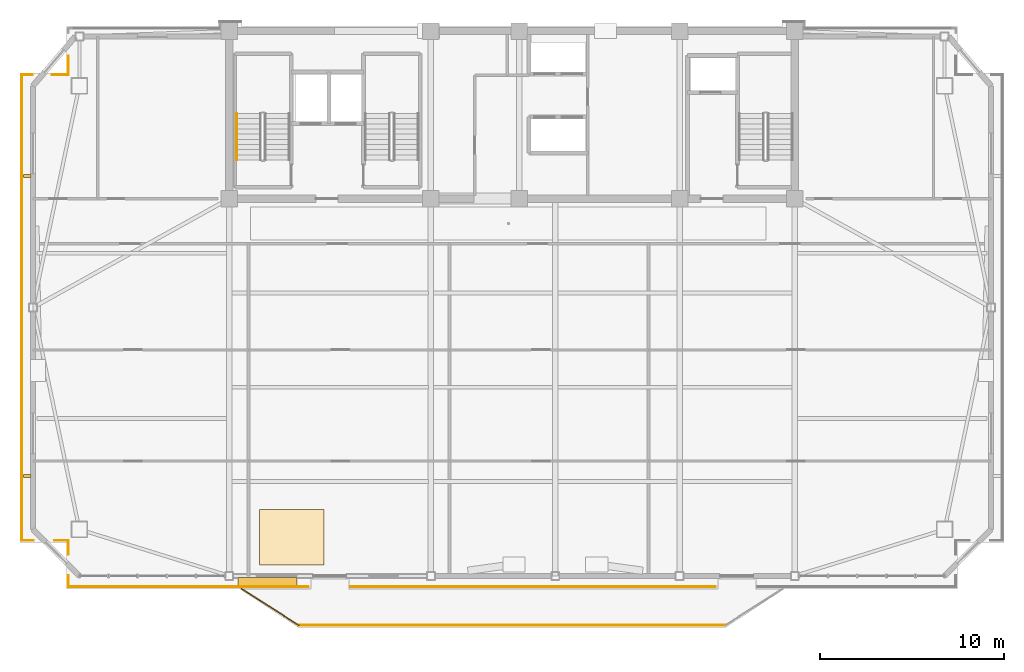
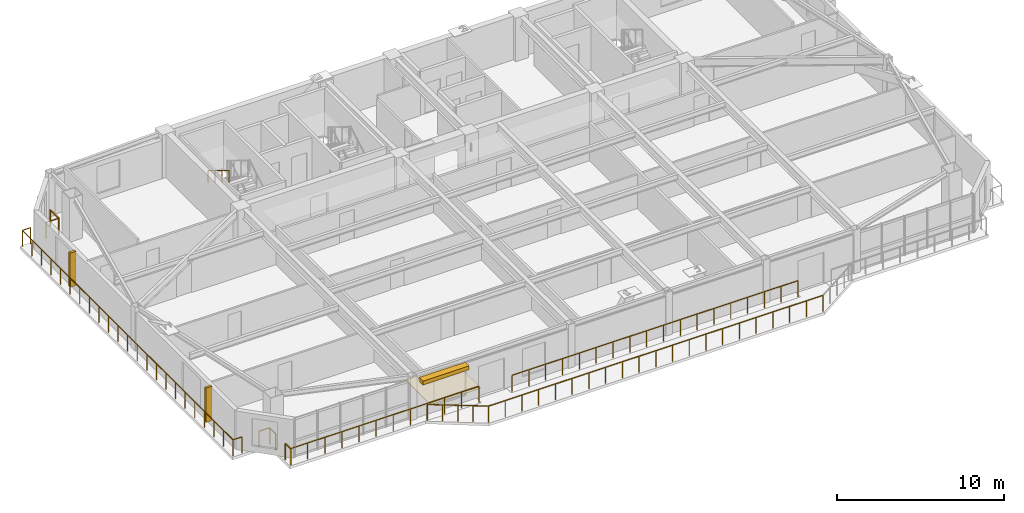
# One storey, part 12 of 16: 13 railings, 3 shading devices, 1 covering.
"""IFC4 building model written with IfcOpenShell, lengths in metres."""

import ifcopenshell
import ifcopenshell.guid

model = None  # the IFC model being written
_history = None  # IfcOwnerHistory: only IFC2X3 demands one
_inside = {}  # id of a spatial element -> (the spatial element, [elements in it])
_under = {}  # id of a project, library or spatial element -> (it, [spatial elements below it])
_declared = {}  # id of a project -> (the project, [libraries it declares])
_typed = {}  # id of a type object -> (the type object, [elements of that type])
_made_of = {}  # id of a material, layer set ... -> (it, [elements and type objects made of it])


def new_model(schema):
    """Start an empty IFC model of exactly this schema.

    Asked for "IFC4X3", IfcOpenShell would pick the latest addendum, in which some entities
    have other attributes; the version numbers below select the first issue.
    IFC2X3 requires an IfcOwnerHistory on every rooted entity: one is made here for all.
    """
    global model, _history
    if schema == "IFC4X3":
        model = ifcopenshell.file(schema_version=(4, 3, 0, 0))
    else:
        model = ifcopenshell.file(schema=schema)
    _inside.clear()
    _under.clear()
    _declared.clear()
    _typed.clear()
    _made_of.clear()
    _history = None
    if model.schema == "IFC2X3":
        org = make("IfcOrganization", Name="unknown")
        user = make(
            "IfcPersonAndOrganization",
            ThePerson=make("IfcPerson", FamilyName="unknown"),
            TheOrganization=org,
        )
        app = make(
            "IfcApplication",
            ApplicationDeveloper=org,
            Version="unknown",
            ApplicationFullName="unknown",
            ApplicationIdentifier="unknown",
        )
        _history = make(
            "IfcOwnerHistory",
            OwningUser=user,
            OwningApplication=app,
            ChangeAction="ADDED",
            CreationDate=0,
        )
    return model


def make(cls, **values):
    """One entity of the class cls with the attributes given. An attribute that is None is left unset."""
    return model.create_entity(
        cls, **{name: value for name, value in values.items() if value is not None}
    )


def rooted(cls, **values):
    """An entity with a GlobalId (a new one), such as an element, a storey or a relation."""
    return make(cls, GlobalId=ifcopenshell.guid.new(), OwnerHistory=_history, **values)


def si_unit(unit_type, name, prefix=None):
    """IfcSIUnit, for example si_unit("LENGTHUNIT", "METRE", prefix="MILLI")."""
    return make("IfcSIUnit", UnitType=unit_type, Prefix=prefix, Name=name)


def assignment(units):
    """IfcUnitAssignment: the units of a project."""
    return None if units is None else make("IfcUnitAssignment", Units=units)


def point(xyz):
    """IfcCartesianPoint."""
    return None if xyz is None else make("IfcCartesianPoint", Coordinates=xyz)


def direction(xyz):
    """IfcDirection."""
    return None if xyz is None else make("IfcDirection", DirectionRatios=xyz)


def frame(location, z_axis=None, x_axis=None):
    """IfcAxis2Placement3D, a coordinate frame: its origin and axes. An axis left out is left unset."""
    return make(
        "IfcAxis2Placement3D",
        Location=point(location),
        Axis=direction(z_axis),
        RefDirection=direction(x_axis),
    )


def frame_2d(location, x_axis=None):
    """IfcAxis2Placement2D, a coordinate frame in the plane: its origin and x axis."""
    return make(
        "IfcAxis2Placement2D", Location=point(location), RefDirection=direction(x_axis)
    )


def origin():
    """The frame at (0, 0, 0) with its axes left unset."""
    return frame((0.0, 0.0, 0.0))


def origin_2d():
    """The frame at (0, 0) in the plane with its x axis left unset."""
    return frame_2d((0.0, 0.0))


def place(relative_to, where):
    """IfcLocalPlacement: puts the frame where relative to a parent placement (None: the world)."""
    return make(
        "IfcLocalPlacement", PlacementRelTo=relative_to, RelativePlacement=where
    )


def context(
    kind, dimensions, precision=None, world=None, true_north=None, identifier=None
):
    """IfcGeometricRepresentationContext, for example the 3D "Model" context."""
    return make(
        "IfcGeometricRepresentationContext",
        ContextIdentifier=identifier,
        ContextType=kind,
        CoordinateSpaceDimension=dimensions,
        Precision=precision,
        WorldCoordinateSystem=world,
        TrueNorth=true_north,
    )


def subcontext(parent, identifier, kind, view, scale=None):
    """IfcGeometricRepresentationSubContext, for example "Body" below "Model"."""
    return make(
        "IfcGeometricRepresentationSubContext",
        ContextIdentifier=identifier,
        ContextType=kind,
        ParentContext=parent,
        TargetScale=scale,
        TargetView=view,
    )


def project(units=None, contexts=None):
    """IfcProject with its units and contexts."""
    return rooted(
        "IfcProject",
        Name="project",
        RepresentationContexts=contexts,
        UnitsInContext=assignment(units),
    )


def spatial(cls, under=None, at=None, **own):
    """A site, building, storey or space (cls), placed at a placement, below another one or the project."""
    s = rooted(cls, ObjectPlacement=at, **own)
    if under is not None:
        _under.setdefault(under.id(), (under, []))[1].append(s)
    return s


def polyline(points):
    """IfcPolyline through the points."""
    return make("IfcPolyline", Points=[point(p) for p in points])


def profile(cls, at=None, kind="AREA", **sizes):
    """A parametric profile (cls). Its sizes go by their IFC names, for example OverallWidth=200.0."""
    return make(cls, ProfileType=kind, Position=at, **sizes)


def rectangle(**sizes):
    """IfcRectangleProfileDef."""
    return profile("IfcRectangleProfileDef", **sizes)


def outline(outer, holes=None, kind="AREA"):
    """IfcArbitraryClosedProfileDef: a profile drawn as a closed curve; with holes, ...WithVoids."""
    if holes is None:
        return make("IfcArbitraryClosedProfileDef", ProfileType=kind, OuterCurve=outer)
    return make(
        "IfcArbitraryProfileDefWithVoids",
        ProfileType=kind,
        OuterCurve=outer,
        InnerCurves=holes,
    )


def extrude(swept, where, along, depth):
    """IfcExtrudedAreaSolid: the profile swept, set in the frame where, extruded along a direction by depth."""
    return make(
        "IfcExtrudedAreaSolid",
        SweptArea=swept,
        Position=where,
        ExtrudedDirection=direction(along),
        Depth=depth,
    )


def shape(context_of_items, identifier, shape_type, items):
    """IfcShapeRepresentation: the items that make up one representation, for example the "Body"."""
    return make(
        "IfcShapeRepresentation",
        ContextOfItems=context_of_items,
        RepresentationIdentifier=identifier,
        RepresentationType=shape_type,
        Items=items,
    )


def source(mapping_origin, context_of_items, identifier, shape_type, items):
    """IfcRepresentationMap: a shape defined once, which mapped items show again and again."""
    return make(
        "IfcRepresentationMap",
        MappingOrigin=mapping_origin,
        MappedRepresentation=shape(context_of_items, identifier, shape_type, items),
    )


def transform(
    local_origin,
    x_axis=None,
    y_axis=None,
    z_axis=None,
    scale=None,
    scale2=None,
    scale3=None,
    uniform=True,
):
    """IfcCartesianTransformationOperator3D, or its non-uniform kind. x_axis, y_axis, z_axis: its Axis1, 2, 3."""
    if uniform:
        return make(
            "IfcCartesianTransformationOperator3D",
            Axis1=direction(x_axis),
            Axis2=direction(y_axis),
            LocalOrigin=point(local_origin),
            Scale=scale,
            Axis3=direction(z_axis),
        )
    return make(
        "IfcCartesianTransformationOperator3DnonUniform",
        Axis1=direction(x_axis),
        Axis2=direction(y_axis),
        LocalOrigin=point(local_origin),
        Scale=scale,
        Axis3=direction(z_axis),
        Scale2=scale2,
        Scale3=scale3,
    )


def mapped(mapping_source, mapping_target):
    """IfcMappedItem: shows the shape of a source again, moved by a transform."""
    return make(
        "IfcMappedItem", MappingSource=mapping_source, MappingTarget=mapping_target
    )


def material(Name=None, Category=None):
    """IfcMaterial."""
    return make("IfcMaterial", Name=Name, Category=Category)


def layer(
    of_material, thickness, ventilated=None, Name=None, Category=None, Priority=None
):
    """IfcMaterialLayer: one layer of a wall or slab, of a material (None: an air gap)."""
    return make(
        "IfcMaterialLayer",
        Material=of_material,
        LayerThickness=thickness,
        IsVentilated=ventilated,
        Name=Name,
        Category=Category,
        Priority=Priority,
    )


def layer_set(layers, Name=None):
    """IfcMaterialLayerSet."""
    return make("IfcMaterialLayerSet", MaterialLayers=layers, LayerSetName=Name)


def made_of(thing, what):
    """Note that an element or type object is made of a material, layer set ...; save() writes the relation."""
    if what is not None:
        _made_of.setdefault(what.id(), (what, []))[1].append(thing)
    return thing


def type_object(cls, material=None, **own):
    """A type object (cls), such as IfcWallType, which elements share."""
    return made_of(rooted(cls, **own), material)


def element(
    cls,
    number,
    at=None,
    inside=None,
    cuts=None,
    type_object=None,
    material=None,
    context=None,
    identifier="Body",
    shape_type=None,
    held_by="IfcProductDefinitionShape",
    body=None,
    shapes=None,
    **own,
):
    """One element of the class cls, such as IfcWall. Its Tag is "e" and its number.

    at: its placement. inside: the storey or other place that contains it. cuts: it is an
    opening in that element (IfcRelVoidsElement). A single representation is given by context,
    identifier, shape_type and body (its items); several are given by shapes. held_by: the class
    of the entity that holds the representations. save() writes the other relations.
    """
    e = rooted(cls, Tag="e%d" % number, ObjectPlacement=at, **own)
    if body is not None:
        shapes = [shape(context, identifier, shape_type, body)]
    if shapes is not None:
        e.Representation = make(held_by, Representations=shapes)
    if inside is not None:
        _inside.setdefault(inside.id(), (inside, []))[1].append(e)
    if cuts is not None:
        rooted(
            "IfcRelVoidsElement", RelatingBuildingElement=cuts, RelatedOpeningElement=e
        )
    if type_object is not None:
        _typed.setdefault(type_object.id(), (type_object, []))[1].append(e)
    return made_of(e, material)


def aggregate(whole, parts):
    """IfcRelAggregates: a whole, such as a stair, and the parts it consists of."""
    return rooted("IfcRelAggregates", RelatingObject=whole, RelatedObjects=parts)


def save(model, path):
    """Write the relations noted so far, then the file.

    IfcRelAggregates (storeys below a building ...), IfcRelContainedInSpatialStructure (elements
    in a storey), IfcRelDefinesByType, IfcRelAssociatesMaterial and IfcRelDeclares: one each for
    every whole, place, type object, material and project.
    """
    for whole, parts in _under.values():
        aggregate(whole, parts)
    for where, things in _inside.values():
        rooted(
            "IfcRelContainedInSpatialStructure",
            RelatedElements=things,
            RelatingStructure=where,
        )
    for kind, things in _typed.values():
        rooted("IfcRelDefinesByType", RelatedObjects=things, RelatingType=kind)
    for what, things in _made_of.values():
        rooted("IfcRelAssociatesMaterial", RelatedObjects=things, RelatingMaterial=what)
    for by, libraries in _declared.values():
        rooted("IfcRelDeclares", RelatingContext=by, RelatedDefinitions=libraries)
    model.write(path)


model = new_model("IFC4")

# Units and contexts
model_context = context("Model", 3, precision=1e-05, world=origin(), true_north=direction((0.0, 1.0)))
body_context = subcontext(model_context, "Body", "Model", "MODEL_VIEW")
ifc_project = project(units=[si_unit("LENGTHUNIT", "METRE"), si_unit("AREAUNIT", "SQUARE_METRE"), si_unit("VOLUMEUNIT", "CUBIC_METRE"), si_unit("PLANEANGLEUNIT", "RADIAN"), si_unit("MASSUNIT", "GRAM", prefix="KILO")], contexts=[model_context])

# Site, building, storey
site_placement = place(None, origin())
site = spatial("IfcSite", under=ifc_project, at=site_placement, CompositionType="ELEMENT")
building_placement = place(site_placement, origin())
building = spatial("IfcBuilding", under=site, at=building_placement, Name="Giltprow Tower", CompositionType="ELEMENT")
storey_placement = place(building_placement, frame((0.0, 0.0, 272.300048828125)))
storey = spatial("IfcBuildingStorey", under=building, at=storey_placement, Name="L70", CompositionType="ELEMENT", Elevation=272.300048828125)

# Covering
ifc_material_1 = material(Name="Engineered oak", Category="wood")
ifc_layer = layer(ifc_material_1, 0.02490234375, Name="Engineered oak")
ifc_layer_set = layer_set([ifc_layer], Name="Engineered oak")
covering_type = type_object("IfcCoveringType", Name="COV-FLR-TIMBER", PredefinedType="FLOORING", material=ifc_layer_set)
covering_placement = place(storey_placement, origin())
element("IfcCovering", 1, at=covering_placement, inside=storey, type_object=covering_type, Name="L70 Residence Oak Parquet Flooring", PredefinedType="FLOORING", context=body_context, shape_type="SweptSolid", body=[
    extrude(outline(polyline([(21.5, 17.575927734375), (25.0, 17.575927734375), (25.0, 20.575927734375), (21.5, 20.575927734375), (21.5, 17.575927734375)])), origin(), (0.0, 0.0, 1.0), 0.02490234375),
])

# Railings
ifc_material_2 = material(Name="Anodized bronze", Category="metal")
railing_type_1 = type_object("IfcRailingType", Name="RAIL-BALC-GUARD-1200", PredefinedType="BALUSTRADE", material=ifc_material_2)
railing_1_placement = place(storey_placement, frame((20.52001953125, 16.27587890625, 0.0)))
element("IfcRailing", 2, at=railing_1_placement, inside=storey, type_object=railing_type_1, Name="L70 Waterfront Balcony Balustrade Seg 1", PredefinedType="BALUSTRADE", context=body_context, shape_type="SweptSolid", body=[
    extrude(rectangle(XDim=0.048095703125, YDim=0.048095703125, at=origin_2d()), frame((0.0, 0.0, 1.17578125), z_axis=(0.84277487735, -0.538266203757, 0.0), x_axis=(0.538266203757, 0.84277487735, 0.0)), (0.0, 0.0, 1.0), 3.678466796875),
    extrude(rectangle(XDim=0.0419921875, YDim=0.0419921875, at=origin_2d()), origin(), (0.0, 0.0, 1.0), 1.15185546875),
    extrude(rectangle(XDim=0.0419921875, YDim=0.0419921875, at=origin_2d()), frame((0.77490234375, -0.4951171875, 0.0)), (0.0, 0.0, 1.0), 1.15185546875),
    extrude(rectangle(XDim=0.0419921875, YDim=0.0419921875, at=origin_2d()), frame((1.550048828125, -0.989990234375, 0.0)), (0.0, 0.0, 1.0), 1.15185546875),
    extrude(rectangle(XDim=0.0419921875, YDim=0.0419921875, at=origin_2d()), frame((2.3251953125, -1.48486328125, 0.0)), (0.0, 0.0, 1.0), 1.15185546875),
    extrude(rectangle(XDim=0.0419921875, YDim=0.0419921875, at=origin_2d()), frame((3.10009765625, -1.97998046875, 0.0)), (0.0, 0.0, 1.0), 1.15185546875),
])
railing_2_placement = place(storey_placement, frame((23.6201171875, 14.2958984375, 0.0)))
element("IfcRailing", 3, at=railing_2_placement, inside=storey, type_object=railing_type_1, Name="L70 Waterfront Balcony Balustrade Seg 2", PredefinedType="BALUSTRADE", context=body_context, shape_type="SweptSolid", body=[
    extrude(rectangle(XDim=0.048095703125, YDim=0.048095703125, at=origin_2d()), frame((0.0, 0.0, 1.17578125), z_axis=(1.0, 0.0, 0.0), x_axis=(0.0, 1.0, 0.0)), (0.0, 0.0, 1.0), 23.159912109375),
    extrude(rectangle(XDim=0.0419921875, YDim=0.0419921875, at=origin_2d()), origin(), (0.0, 0.0, 1.0), 1.15185546875),
    extrude(rectangle(XDim=0.0419921875, YDim=0.0419921875, at=origin_2d()), frame((1.157958984375, 0.0, 0.0)), (0.0, 0.0, 1.0), 1.15185546875),
    extrude(rectangle(XDim=0.0419921875, YDim=0.0419921875, at=origin_2d()), frame((2.31591796875, 0.0, 0.0)), (0.0, 0.0, 1.0), 1.15185546875),
    extrude(rectangle(XDim=0.0419921875, YDim=0.0419921875, at=origin_2d()), frame((3.473876953125, 0.0, 0.0)), (0.0, 0.0, 1.0), 1.15185546875),
    extrude(rectangle(XDim=0.0419921875, YDim=0.0419921875, at=origin_2d()), frame((4.632080078125, 0.0, 0.0)), (0.0, 0.0, 1.0), 1.15185546875),
    extrude(rectangle(XDim=0.0419921875, YDim=0.0419921875, at=origin_2d()), frame((5.7900390625, 0.0, 0.0)), (0.0, 0.0, 1.0), 1.15185546875),
    extrude(rectangle(XDim=0.0419921875, YDim=0.0419921875, at=origin_2d()), frame((6.947998046875, 0.0, 0.0)), (0.0, 0.0, 1.0), 1.15185546875),
    extrude(rectangle(XDim=0.0419921875, YDim=0.0419921875, at=origin_2d()), frame((8.10595703125, 0.0, 0.0)), (0.0, 0.0, 1.0), 1.15185546875),
    extrude(rectangle(XDim=0.0419921875, YDim=0.0419921875, at=origin_2d()), frame((9.263916015625, 0.0, 0.0)), (0.0, 0.0, 1.0), 1.15185546875),
    extrude(rectangle(XDim=0.0419921875, YDim=0.0419921875, at=origin_2d()), frame((10.421875, 0.0, 0.0)), (0.0, 0.0, 1.0), 1.15185546875),
    extrude(rectangle(XDim=0.0419921875, YDim=0.0419921875, at=origin_2d()), frame((11.580078125, 0.0, 0.0)), (0.0, 0.0, 1.0), 1.15185546875),
    extrude(rectangle(XDim=0.0419921875, YDim=0.0419921875, at=origin_2d()), frame((12.738037109375, 0.0, 0.0)), (0.0, 0.0, 1.0), 1.15185546875),
    extrude(rectangle(XDim=0.0419921875, YDim=0.0419921875, at=origin_2d()), frame((13.89599609375, 0.0, 0.0)), (0.0, 0.0, 1.0), 1.15185546875),
    extrude(rectangle(XDim=0.0419921875, YDim=0.0419921875, at=origin_2d()), frame((15.053955078125, 0.0, 0.0)), (0.0, 0.0, 1.0), 1.15185546875),
    extrude(rectangle(XDim=0.0419921875, YDim=0.0419921875, at=origin_2d()), frame((16.2119140625, 0.0, 0.0)), (0.0, 0.0, 1.0), 1.15185546875),
    extrude(rectangle(XDim=0.0419921875, YDim=0.0419921875, at=origin_2d()), frame((17.369873046875, 0.0, 0.0)), (0.0, 0.0, 1.0), 1.15185546875),
    extrude(rectangle(XDim=0.0419921875, YDim=0.0419921875, at=origin_2d()), frame((18.52783203125, 0.0, 0.0)), (0.0, 0.0, 1.0), 1.15185546875),
    extrude(rectangle(XDim=0.0419921875, YDim=0.0419921875, at=origin_2d()), frame((19.68603515625, 0.0, 0.0)), (0.0, 0.0, 1.0), 1.15185546875),
    extrude(rectangle(XDim=0.0419921875, YDim=0.0419921875, at=origin_2d()), frame((20.843994140625, 0.0, 0.0)), (0.0, 0.0, 1.0), 1.15185546875),
    extrude(rectangle(XDim=0.0419921875, YDim=0.0419921875, at=origin_2d()), frame((22.001953125, 0.0, 0.0)), (0.0, 0.0, 1.0), 1.15185546875),
    extrude(rectangle(XDim=0.0419921875, YDim=0.0419921875, at=origin_2d()), frame((23.159912109375, 0.0, 0.0)), (0.0, 0.0, 1.0), 1.15185546875),
])
railing_3_placement = place(storey_placement, frame((46.25, 16.3759765625, 0.0)))
element("IfcRailing", 4, at=railing_3_placement, inside=storey, type_object=railing_type_1, Name="L70 Corner Apron Edge Balustrade 7", PredefinedType="BALUSTRADE", context=body_context, shape_type="SweptSolid", body=[
    extrude(rectangle(XDim=0.048095703125, YDim=0.048095703125, at=origin_2d()), frame((0.0, 0.0, 1.17578125), z_axis=(-1.0, 0.0, 0.0), x_axis=(0.0, -1.0, 0.0)), (0.0, 0.0, 1.0), 19.800048828125),
    extrude(rectangle(XDim=0.0419921875, YDim=0.0419921875, at=origin_2d()), origin(), (0.0, 0.0, 1.0), 1.15185546875),
    extrude(rectangle(XDim=0.0419921875, YDim=0.0419921875, at=origin_2d()), frame((-1.164794921875, 0.0, 0.0)), (0.0, 0.0, 1.0), 1.15185546875),
    extrude(rectangle(XDim=0.0419921875, YDim=0.0419921875, at=origin_2d()), frame((-2.329345703125, 0.0, 0.0)), (0.0, 0.0, 1.0), 1.15185546875),
    extrude(rectangle(XDim=0.0419921875, YDim=0.0419921875, at=origin_2d()), frame((-3.494140625, 0.0, 0.0)), (0.0, 0.0, 1.0), 1.15185546875),
    extrude(rectangle(XDim=0.0419921875, YDim=0.0419921875, at=origin_2d()), frame((-4.658935546875, 0.0, 0.0)), (0.0, 0.0, 1.0), 1.15185546875),
    extrude(rectangle(XDim=0.0419921875, YDim=0.0419921875, at=origin_2d()), frame((-5.823486328125, 0.0, 0.0)), (0.0, 0.0, 1.0), 1.15185546875),
    extrude(rectangle(XDim=0.0419921875, YDim=0.0419921875, at=origin_2d()), frame((-6.98828125, 0.0, 0.0)), (0.0, 0.0, 1.0), 1.15185546875),
    extrude(rectangle(XDim=0.0419921875, YDim=0.0419921875, at=origin_2d()), frame((-8.153076171875, 0.0, 0.0)), (0.0, 0.0, 1.0), 1.15185546875),
    extrude(rectangle(XDim=0.0419921875, YDim=0.0419921875, at=origin_2d()), frame((-9.317626953125, 0.0, 0.0)), (0.0, 0.0, 1.0), 1.15185546875),
    extrude(rectangle(XDim=0.0419921875, YDim=0.0419921875, at=origin_2d()), frame((-10.482421875, 0.0, 0.0)), (0.0, 0.0, 1.0), 1.15185546875),
    extrude(rectangle(XDim=0.0419921875, YDim=0.0419921875, at=origin_2d()), frame((-11.64697265625, 0.0, 0.0)), (0.0, 0.0, 1.0), 1.15185546875),
    extrude(rectangle(XDim=0.0419921875, YDim=0.0419921875, at=origin_2d()), frame((-12.811767578125, 0.0, 0.0)), (0.0, 0.0, 1.0), 1.15185546875),
    extrude(rectangle(XDim=0.0419921875, YDim=0.0419921875, at=origin_2d()), frame((-13.9765625, 0.0, 0.0)), (0.0, 0.0, 1.0), 1.15185546875),
    extrude(rectangle(XDim=0.0419921875, YDim=0.0419921875, at=origin_2d()), frame((-15.14111328125, 0.0, 0.0)), (0.0, 0.0, 1.0), 1.15185546875),
    extrude(rectangle(XDim=0.0419921875, YDim=0.0419921875, at=origin_2d()), frame((-16.305908203125, 0.0, 0.0)), (0.0, 0.0, 1.0), 1.15185546875),
    extrude(rectangle(XDim=0.0419921875, YDim=0.0419921875, at=origin_2d()), frame((-17.470703125, 0.0, 0.0)), (0.0, 0.0, 1.0), 1.15185546875),
    extrude(rectangle(XDim=0.0419921875, YDim=0.0419921875, at=origin_2d()), frame((-18.63525390625, 0.0, 0.0)), (0.0, 0.0, 1.0), 1.15185546875),
    extrude(rectangle(XDim=0.0419921875, YDim=0.0419921875, at=origin_2d()), frame((-19.800048828125, 0.0, 0.0)), (0.0, 0.0, 1.0), 1.15185546875),
])
railing_4_placement = place(storey_placement, frame((24.14990234375, 16.3759765625, 0.0)))
element("IfcRailing", 5, at=railing_4_placement, inside=storey, type_object=railing_type_1, Name="L70 Corner Apron Edge Balustrade 8", PredefinedType="BALUSTRADE", context=body_context, shape_type="SweptSolid", body=[
    extrude(rectangle(XDim=0.048095703125, YDim=0.048095703125, at=origin_2d()), frame((0.0, 0.0, 1.17578125), z_axis=(-1.0, 0.0, 0.0), x_axis=(0.0, -1.0, 0.0)), (0.0, 0.0, 1.0), 13.032958984375),
    extrude(rectangle(XDim=0.0419921875, YDim=0.0419921875, at=origin_2d()), origin(), (0.0, 0.0, 1.0), 1.15185546875),
    extrude(rectangle(XDim=0.0419921875, YDim=0.0419921875, at=origin_2d()), frame((-1.184814453125, 0.0, 0.0)), (0.0, 0.0, 1.0), 1.15185546875),
    extrude(rectangle(XDim=0.0419921875, YDim=0.0419921875, at=origin_2d()), frame((-2.36962890625, 0.0, 0.0)), (0.0, 0.0, 1.0), 1.15185546875),
    extrude(rectangle(XDim=0.0419921875, YDim=0.0419921875, at=origin_2d()), frame((-3.554443359375, 0.0, 0.0)), (0.0, 0.0, 1.0), 1.15185546875),
    extrude(rectangle(XDim=0.0419921875, YDim=0.0419921875, at=origin_2d()), frame((-4.7392578125, 0.0, 0.0)), (0.0, 0.0, 1.0), 1.15185546875),
    extrude(rectangle(XDim=0.0419921875, YDim=0.0419921875, at=origin_2d()), frame((-5.924072265625, 0.0, 0.0)), (0.0, 0.0, 1.0), 1.15185546875),
    extrude(rectangle(XDim=0.0419921875, YDim=0.0419921875, at=origin_2d()), frame((-7.10888671875, 0.0, 0.0)), (0.0, 0.0, 1.0), 1.15185546875),
    extrude(rectangle(XDim=0.0419921875, YDim=0.0419921875, at=origin_2d()), frame((-8.293701171875, 0.0, 0.0)), (0.0, 0.0, 1.0), 1.15185546875),
    extrude(rectangle(XDim=0.0419921875, YDim=0.0419921875, at=origin_2d()), frame((-9.478515625, 0.0, 0.0)), (0.0, 0.0, 1.0), 1.15185546875),
    extrude(rectangle(XDim=0.0419921875, YDim=0.0419921875, at=origin_2d()), frame((-10.663330078125, 0.0, 0.0)), (0.0, 0.0, 1.0), 1.15185546875),
    extrude(rectangle(XDim=0.0419921875, YDim=0.0419921875, at=origin_2d()), frame((-11.84814453125, 0.0, 0.0)), (0.0, 0.0, 1.0), 1.15185546875),
    extrude(rectangle(XDim=0.0419921875, YDim=0.0419921875, at=origin_2d()), frame((-13.032958984375, 0.0, 0.0)), (0.0, 0.0, 1.0), 1.15185546875),
])
railing_5_placement = place(storey_placement, frame((11.116943359375, 16.3759765625, 0.0)))
element("IfcRailing", 6, at=railing_5_placement, inside=storey, type_object=railing_type_1, Name="L70 Corner Apron Edge Balustrade 9", PredefinedType="BALUSTRADE", context=body_context, shape_type="SweptSolid", body=[
    extrude(rectangle(XDim=0.048095703125, YDim=0.048095703125, at=origin_2d()), frame((0.0, 0.0, 1.17578125), z_axis=(0.0, 1.0, 0.0), x_axis=(-1.0, 0.0, 0.0)), (0.0, 0.0, 1.0), 0.6201171875),
    extrude(rectangle(XDim=0.0419921875, YDim=0.0419921875, at=origin_2d()), origin(), (0.0, 0.0, 1.0), 1.15185546875),
    extrude(rectangle(XDim=0.0419921875, YDim=0.0419921875, at=origin_2d()), frame((0.0, 0.6201171875, 0.0)), (0.0, 0.0, 1.0), 1.15185546875),
])
railing_6_placement = place(storey_placement, frame((11.116943359375, 18.156005859375, 0.0)))
element("IfcRailing", 7, at=railing_6_placement, inside=storey, type_object=railing_type_1, Name="L70 Corner Apron Edge Balustrade 10", PredefinedType="BALUSTRADE", context=body_context, shape_type="SweptSolid", body=[
    extrude(rectangle(XDim=0.048095703125, YDim=0.048095703125, at=origin_2d()), frame((0.0, 0.0, 1.17578125), z_axis=(0.0, 1.0, 0.0), x_axis=(-1.0, 0.0, 0.0)), (0.0, 0.0, 1.0), 0.742919921875),
    extrude(rectangle(XDim=0.0419921875, YDim=0.0419921875, at=origin_2d()), origin(), (0.0, 0.0, 1.0), 1.15185546875),
    extrude(rectangle(XDim=0.0419921875, YDim=0.0419921875, at=origin_2d()), frame((0.0, 0.742919921875, 0.0)), (0.0, 0.0, 1.0), 1.15185546875),
])
railing_7_placement = place(storey_placement, frame((11.116943359375, 18.89892578125, 0.0)))
element("IfcRailing", 8, at=railing_7_placement, inside=storey, type_object=railing_type_1, Name="L70 Corner Apron Edge Balustrade 11", PredefinedType="BALUSTRADE", context=body_context, shape_type="SweptSolid", body=[
    extrude(rectangle(XDim=0.048095703125, YDim=0.048095703125, at=origin_2d()), frame((0.0, 0.0, 1.17578125), z_axis=(-1.0, 0.0, 0.0), x_axis=(0.0, -1.0, 0.0)), (0.0, 0.0, 1.0), 0.742919921875),
    extrude(rectangle(XDim=0.0419921875, YDim=0.0419921875, at=origin_2d()), origin(), (0.0, 0.0, 1.0), 1.15185546875),
    extrude(rectangle(XDim=0.0419921875, YDim=0.0419921875, at=origin_2d()), frame((-0.742919921875, 0.0, 0.0)), (0.0, 0.0, 1.0), 1.15185546875),
])
railing_8_placement = place(storey_placement, frame((9.214111328125, 18.89892578125, 0.0)))
element("IfcRailing", 9, at=railing_8_placement, inside=storey, type_object=railing_type_1, Name="L70 Corner Apron Edge Balustrade 12", PredefinedType="BALUSTRADE", context=body_context, shape_type="SweptSolid", body=[
    extrude(rectangle(XDim=0.048095703125, YDim=0.048095703125, at=origin_2d()), frame((0.0, 0.0, 1.17578125), z_axis=(-1.0, 0.0, 0.0), x_axis=(0.0, -1.0, 0.0)), (0.0, 0.0, 1.0), 0.6201171875),
    extrude(rectangle(XDim=0.0419921875, YDim=0.0419921875, at=origin_2d()), origin(), (0.0, 0.0, 1.0), 1.15185546875),
    extrude(rectangle(XDim=0.0419921875, YDim=0.0419921875, at=origin_2d()), frame((-0.6201171875, 0.0, 0.0)), (0.0, 0.0, 1.0), 1.15185546875),
])
railing_9_placement = place(storey_placement, frame((8.593994140625, 18.89892578125, 0.0)))
element("IfcRailing", 10, at=railing_9_placement, inside=storey, type_object=railing_type_1, Name="L70 Corner Apron Edge Balustrade 13", PredefinedType="BALUSTRADE", context=body_context, shape_type="SweptSolid", body=[
    extrude(rectangle(XDim=0.048095703125, YDim=0.048095703125, at=origin_2d()), frame((0.0, 0.0, 1.17578125), z_axis=(0.0, 1.0, 0.0), x_axis=(-1.0, 0.0, 0.0)), (0.0, 0.0, 1.0), 25.277099609375),
    extrude(rectangle(XDim=0.0419921875, YDim=0.0419921875, at=origin_2d()), origin(), (0.0, 0.0, 1.0), 1.15185546875),
    extrude(rectangle(XDim=0.0419921875, YDim=0.0419921875, at=origin_2d()), frame((0.0, 1.14892578125, 0.0)), (0.0, 0.0, 1.0), 1.15185546875),
    extrude(rectangle(XDim=0.0419921875, YDim=0.0419921875, at=origin_2d()), frame((0.0, 2.2978515625, 0.0)), (0.0, 0.0, 1.0), 1.15185546875),
    extrude(rectangle(XDim=0.0419921875, YDim=0.0419921875, at=origin_2d()), frame((0.0, 3.44677734375, 0.0)), (0.0, 0.0, 1.0), 1.15185546875),
    extrude(rectangle(XDim=0.0419921875, YDim=0.0419921875, at=origin_2d()), frame((0.0, 4.595947265625, 0.0)), (0.0, 0.0, 1.0), 1.15185546875),
    extrude(rectangle(XDim=0.0419921875, YDim=0.0419921875, at=origin_2d()), frame((0.0, 5.744873046875, 0.0)), (0.0, 0.0, 1.0), 1.15185546875),
    extrude(rectangle(XDim=0.0419921875, YDim=0.0419921875, at=origin_2d()), frame((0.0, 6.893798828125, 0.0)), (0.0, 0.0, 1.0), 1.15185546875),
    extrude(rectangle(XDim=0.0419921875, YDim=0.0419921875, at=origin_2d()), frame((0.0, 8.042724609375, 0.0)), (0.0, 0.0, 1.0), 1.15185546875),
    extrude(rectangle(XDim=0.0419921875, YDim=0.0419921875, at=origin_2d()), frame((0.0, 9.191650390625, 0.0)), (0.0, 0.0, 1.0), 1.15185546875),
    extrude(rectangle(XDim=0.0419921875, YDim=0.0419921875, at=origin_2d()), frame((0.0, 10.340576171875, 0.0)), (0.0, 0.0, 1.0), 1.15185546875),
    extrude(rectangle(XDim=0.0419921875, YDim=0.0419921875, at=origin_2d()), frame((0.0, 11.489501953125, 0.0)), (0.0, 0.0, 1.0), 1.15185546875),
    extrude(rectangle(XDim=0.0419921875, YDim=0.0419921875, at=origin_2d()), frame((0.0, 12.638671875, 0.0)), (0.0, 0.0, 1.0), 1.15185546875),
    extrude(rectangle(XDim=0.0419921875, YDim=0.0419921875, at=origin_2d()), frame((0.0, 13.78759765625, 0.0)), (0.0, 0.0, 1.0), 1.15185546875),
    extrude(rectangle(XDim=0.0419921875, YDim=0.0419921875, at=origin_2d()), frame((0.0, 14.9365234375, 0.0)), (0.0, 0.0, 1.0), 1.15185546875),
    extrude(rectangle(XDim=0.0419921875, YDim=0.0419921875, at=origin_2d()), frame((0.0, 16.08544921875, 0.0)), (0.0, 0.0, 1.0), 1.15185546875),
    extrude(rectangle(XDim=0.0419921875, YDim=0.0419921875, at=origin_2d()), frame((0.0, 17.234375, 0.0)), (0.0, 0.0, 1.0), 1.15185546875),
    extrude(rectangle(XDim=0.0419921875, YDim=0.0419921875, at=origin_2d()), frame((0.0, 18.38330078125, 0.0)), (0.0, 0.0, 1.0), 1.15185546875),
    extrude(rectangle(XDim=0.0419921875, YDim=0.0419921875, at=origin_2d()), frame((0.0, 19.5322265625, 0.0)), (0.0, 0.0, 1.0), 1.15185546875),
    extrude(rectangle(XDim=0.0419921875, YDim=0.0419921875, at=origin_2d()), frame((0.0, 20.68115234375, 0.0)), (0.0, 0.0, 1.0), 1.15185546875),
    extrude(rectangle(XDim=0.0419921875, YDim=0.0419921875, at=origin_2d()), frame((0.0, 21.830322265625, 0.0)), (0.0, 0.0, 1.0), 1.15185546875),
    extrude(rectangle(XDim=0.0419921875, YDim=0.0419921875, at=origin_2d()), frame((0.0, 22.979248046875, 0.0)), (0.0, 0.0, 1.0), 1.15185546875),
    extrude(rectangle(XDim=0.0419921875, YDim=0.0419921875, at=origin_2d()), frame((0.0, 24.128173828125, 0.0)), (0.0, 0.0, 1.0), 1.15185546875),
    extrude(rectangle(XDim=0.0419921875, YDim=0.0419921875, at=origin_2d()), frame((0.0, 25.277099609375, 0.0)), (0.0, 0.0, 1.0), 1.15185546875),
])
railing_10_placement = place(storey_placement, frame((8.593994140625, 44.176025390625, 0.0)))
element("IfcRailing", 11, at=railing_10_placement, inside=storey, type_object=railing_type_1, Name="L70 Corner Apron Edge Balustrade 14", PredefinedType="BALUSTRADE", context=body_context, shape_type="SweptSolid", body=[
    extrude(rectangle(XDim=0.048095703125, YDim=0.048095703125, at=origin_2d()), frame((0.0, 0.0, 1.17578125), z_axis=(1.0, 0.0, 0.0), x_axis=(0.0, 1.0, 0.0)), (0.0, 0.0, 1.0), 0.573974609375),
    extrude(rectangle(XDim=0.0419921875, YDim=0.0419921875, at=origin_2d()), origin(), (0.0, 0.0, 1.0), 1.15185546875),
    extrude(rectangle(XDim=0.0419921875, YDim=0.0419921875, at=origin_2d()), frame((0.573974609375, 0.0, 0.0)), (0.0, 0.0, 1.0), 1.15185546875),
])
railing_11_placement = place(storey_placement, frame((10.25, 44.176025390625, 0.0)))
element("IfcRailing", 12, at=railing_11_placement, inside=storey, type_object=railing_type_1, Name="L70 Corner Apron Edge Balustrade 15", PredefinedType="BALUSTRADE", context=body_context, shape_type="SweptSolid", body=[
    extrude(rectangle(XDim=0.048095703125, YDim=0.048095703125, at=origin_2d()), frame((0.0, 0.0, 1.17578125), z_axis=(1.0, 0.0, 0.0), x_axis=(0.0, 1.0, 0.0)), (0.0, 0.0, 1.0), 0.866943359375),
    extrude(rectangle(XDim=0.0419921875, YDim=0.0419921875, at=origin_2d()), origin(), (0.0, 0.0, 1.0), 1.15185546875),
    extrude(rectangle(XDim=0.0419921875, YDim=0.0419921875, at=origin_2d()), frame((0.866943359375, 0.0, 0.0)), (0.0, 0.0, 1.0), 1.15185546875),
])
railing_12_placement = place(storey_placement, frame((11.116943359375, 44.176025390625, 0.0)))
element("IfcRailing", 13, at=railing_12_placement, inside=storey, type_object=railing_type_1, Name="L70 Corner Apron Edge Balustrade 16", PredefinedType="BALUSTRADE", context=body_context, shape_type="SweptSolid", body=[
    extrude(rectangle(XDim=0.048095703125, YDim=0.048095703125, at=origin_2d()), frame((0.0, 0.0, 1.17578125), z_axis=(0.0, 1.0, 0.0), x_axis=(-1.0, 0.0, 0.0)), (0.0, 0.0, 1.0), 1.009033203125),
    extrude(rectangle(XDim=0.0419921875, YDim=0.0419921875, at=origin_2d()), origin(), (0.0, 0.0, 1.0), 1.15185546875),
    extrude(rectangle(XDim=0.0419921875, YDim=0.0419921875, at=origin_2d()), frame((0.0, 1.009033203125, 0.0)), (0.0, 0.0, 1.0), 1.15185546875),
])
railing_type_2 = type_object("IfcRailingType", Name="RAIL-STAIR-HAND-900", PredefinedType="HANDRAIL", material=ifc_material_2)
railing_13_placement = place(storey_placement, frame((20.25, 42.070068359375, 1.869873046875)))
element("IfcRailing", 14, at=railing_13_placement, inside=storey, type_object=railing_type_2, Name="L70 ST-1 stair handrail 2", PredefinedType="HANDRAIL", context=body_context, shape_type="SweptSolid", body=[
    extrude(rectangle(XDim=0.048095703125, YDim=0.048095703125, at=origin_2d()), frame((0.0, 0.0, 0.8759765625), z_axis=(0.0, -0.85478489116, 0.518982456201), x_axis=(1.0, 0.0, 0.0)), (0.0, 0.0, 1.0), 2.9482421875),
    extrude(rectangle(XDim=0.0419921875, YDim=0.0419921875, at=origin_2d()), origin(), (0.0, 0.0, 1.0), 0.851806640625),
    extrude(rectangle(XDim=0.0419921875, YDim=0.0419921875, at=origin_2d()), frame((0.0, -0.840087890625, 0.510009765625)), (0.0, 0.0, 1.0), 0.851806640625),
    extrude(rectangle(XDim=0.0419921875, YDim=0.0419921875, at=origin_2d()), frame((0.0, -1.679931640625, 1.02001953125)), (0.0, 0.0, 1.0), 0.851806640625),
    extrude(rectangle(XDim=0.0419921875, YDim=0.0419921875, at=origin_2d()), frame((0.0, -2.52001953125, 1.530029296875)), (0.0, 0.0, 1.0), 0.851806640625),
])

# Shading devices
shading_device_type_1 = type_object("IfcShadingDeviceType", Name="SHD-FIN-420", PredefinedType="USERDEFINED", material=ifc_material_2)
shared_shape_1 = source(origin(), body_context, "Body", "SweptSolid", [
    extrude(rectangle(XDim=0.419921875, YDim=0.159912109375, at=origin_2d()), origin(), (0.0, 0.0, 1.0), 2.5),
])
for number, where, z_axis, x_axis, name in (
    (15, (8.89404296875, 22.386962890625, 0.349853515625), (0.0, 0.0, 1.0), (1.0, 0.0, 0.0), "L70 W Bronze Vertical Fin 1-1"),
    (16, (8.89404296875, 38.69189453125, 0.349853515625), (0.0, 0.0, 1.0), (1.0, 0.0, 0.0), "L70 W Bronze Vertical Fin 2-1"),
):
    element("IfcShadingDevice", number, at=place(storey_placement, frame(where, z_axis=z_axis, x_axis=x_axis)), inside=storey, type_object=shading_device_type_1, Name=name, ObjectType="FIN", PredefinedType="USERDEFINED", context=body_context, shape_type="MappedRepresentation", body=[
        mapped(shared_shape_1, transform((0.0, 0.0, 0.0), x_axis=(1.0, 0.0, 0.0), y_axis=(0.0, 1.0, 0.0), z_axis=(0.0, 0.0, 1.0), scale=1.0)),
    ])
shading_device_type_2 = type_object("IfcShadingDeviceType", Name="SHD-LOUVRE-320", PredefinedType="JALOUSIE", material=ifc_material_2)
shared_shape_2 = source(origin(), body_context, "Body", "SweptSolid", [
    extrude(rectangle(XDim=3.199951171875, YDim=0.449951171875, at=origin_2d()), origin(), (0.0, 0.0, 1.0), 0.280029296875),
])
shading_device_placement = place(storey_placement, frame((21.925048828125, 16.676025390625, 2.56005859375), z_axis=(0.0, 0.0, 1.0), x_axis=(1.0, 0.0, 0.0)))
element("IfcShadingDevice", 17, at=shading_device_placement, inside=storey, type_object=shading_device_type_2, Name="L70 Bronze Sunshade Louvre S-2", PredefinedType="JALOUSIE", context=body_context, shape_type="MappedRepresentation", body=[
    mapped(shared_shape_2, transform((0.0, 0.0, 0.0), x_axis=(1.0, 0.0, 0.0), y_axis=(0.0, 1.0, 0.0), z_axis=(0.0, 0.0, 1.0), scale=1.0)),
])

save(model, "model.ifc")
